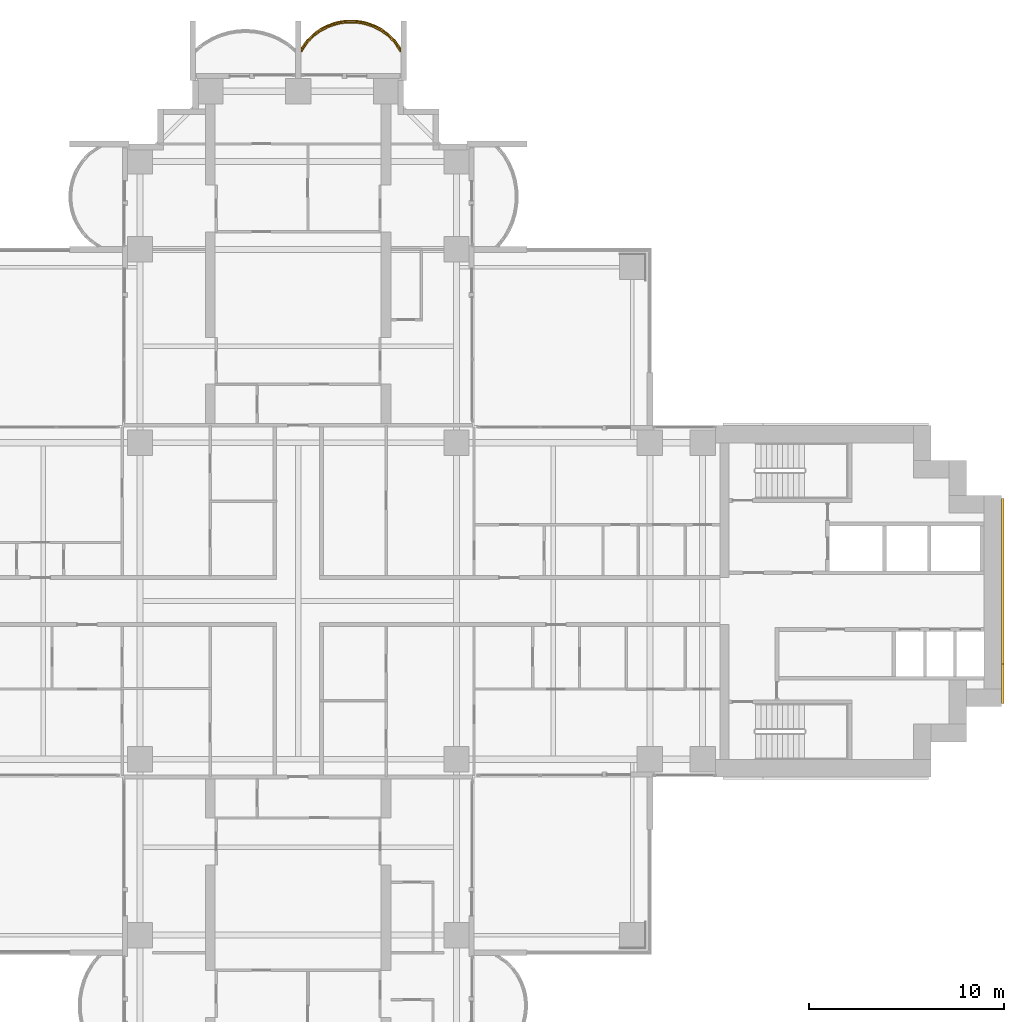
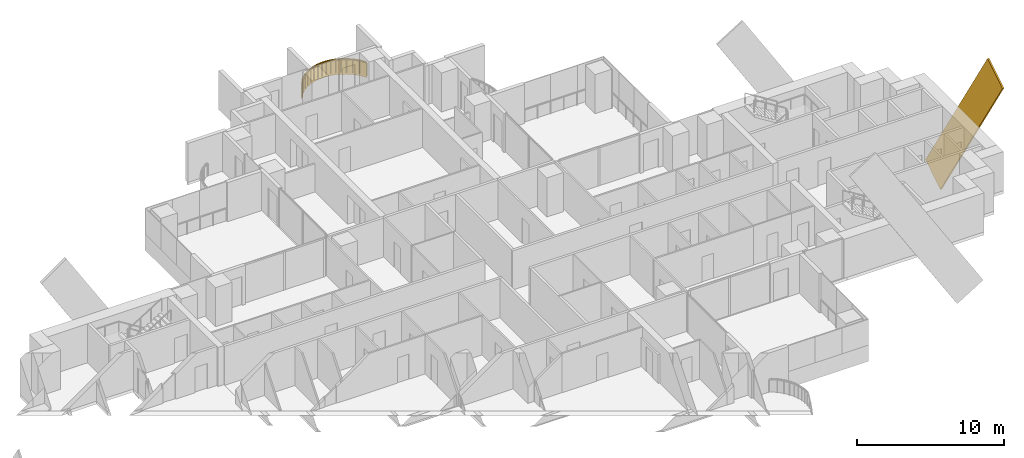
# One storey, part 22 of 22: 2 coverings, 1 railing.
"""IFC4 building model written with IfcOpenShell, lengths in metres."""

import ifcopenshell
import ifcopenshell.guid

model = None  # the IFC model being written
_history = None  # IfcOwnerHistory: only IFC2X3 demands one
_inside = {}  # id of a spatial element -> (the spatial element, [elements in it])
_under = {}  # id of a project, library or spatial element -> (it, [spatial elements below it])
_declared = {}  # id of a project -> (the project, [libraries it declares])
_typed = {}  # id of a type object -> (the type object, [elements of that type])
_made_of = {}  # id of a material, layer set ... -> (it, [elements and type objects made of it])


def new_model(schema):
    """Start an empty IFC model of exactly this schema.

    Asked for "IFC4X3", IfcOpenShell would pick the latest addendum, in which some entities
    have other attributes; the version numbers below select the first issue.
    IFC2X3 requires an IfcOwnerHistory on every rooted entity: one is made here for all.
    """
    global model, _history
    if schema == "IFC4X3":
        model = ifcopenshell.file(schema_version=(4, 3, 0, 0))
    else:
        model = ifcopenshell.file(schema=schema)
    _inside.clear()
    _under.clear()
    _declared.clear()
    _typed.clear()
    _made_of.clear()
    _history = None
    if model.schema == "IFC2X3":
        org = make("IfcOrganization", Name="unknown")
        user = make(
            "IfcPersonAndOrganization",
            ThePerson=make("IfcPerson", FamilyName="unknown"),
            TheOrganization=org,
        )
        app = make(
            "IfcApplication",
            ApplicationDeveloper=org,
            Version="unknown",
            ApplicationFullName="unknown",
            ApplicationIdentifier="unknown",
        )
        _history = make(
            "IfcOwnerHistory",
            OwningUser=user,
            OwningApplication=app,
            ChangeAction="ADDED",
            CreationDate=0,
        )
    return model


def make(cls, **values):
    """One entity of the class cls with the attributes given. An attribute that is None is left unset."""
    return model.create_entity(
        cls, **{name: value for name, value in values.items() if value is not None}
    )


def rooted(cls, **values):
    """An entity with a GlobalId (a new one), such as an element, a storey or a relation."""
    return make(cls, GlobalId=ifcopenshell.guid.new(), OwnerHistory=_history, **values)


def si_unit(unit_type, name, prefix=None):
    """IfcSIUnit, for example si_unit("LENGTHUNIT", "METRE", prefix="MILLI")."""
    return make("IfcSIUnit", UnitType=unit_type, Prefix=prefix, Name=name)


def assignment(units):
    """IfcUnitAssignment: the units of a project."""
    return None if units is None else make("IfcUnitAssignment", Units=units)


def point(xyz):
    """IfcCartesianPoint."""
    return None if xyz is None else make("IfcCartesianPoint", Coordinates=xyz)


def direction(xyz):
    """IfcDirection."""
    return None if xyz is None else make("IfcDirection", DirectionRatios=xyz)


def frame(location, z_axis=None, x_axis=None):
    """IfcAxis2Placement3D, a coordinate frame: its origin and axes. An axis left out is left unset."""
    return make(
        "IfcAxis2Placement3D",
        Location=point(location),
        Axis=direction(z_axis),
        RefDirection=direction(x_axis),
    )


def frame_2d(location, x_axis=None):
    """IfcAxis2Placement2D, a coordinate frame in the plane: its origin and x axis."""
    return make(
        "IfcAxis2Placement2D", Location=point(location), RefDirection=direction(x_axis)
    )


def origin():
    """The frame at (0, 0, 0) with its axes left unset."""
    return frame((0.0, 0.0, 0.0))


def origin_2d():
    """The frame at (0, 0) in the plane with its x axis left unset."""
    return frame_2d((0.0, 0.0))


def place(relative_to, where):
    """IfcLocalPlacement: puts the frame where relative to a parent placement (None: the world)."""
    return make(
        "IfcLocalPlacement", PlacementRelTo=relative_to, RelativePlacement=where
    )


def context(
    kind, dimensions, precision=None, world=None, true_north=None, identifier=None
):
    """IfcGeometricRepresentationContext, for example the 3D "Model" context."""
    return make(
        "IfcGeometricRepresentationContext",
        ContextIdentifier=identifier,
        ContextType=kind,
        CoordinateSpaceDimension=dimensions,
        Precision=precision,
        WorldCoordinateSystem=world,
        TrueNorth=true_north,
    )


def subcontext(parent, identifier, kind, view, scale=None):
    """IfcGeometricRepresentationSubContext, for example "Body" below "Model"."""
    return make(
        "IfcGeometricRepresentationSubContext",
        ContextIdentifier=identifier,
        ContextType=kind,
        ParentContext=parent,
        TargetScale=scale,
        TargetView=view,
    )


def project(units=None, contexts=None):
    """IfcProject with its units and contexts."""
    return rooted(
        "IfcProject",
        Name="project",
        RepresentationContexts=contexts,
        UnitsInContext=assignment(units),
    )


def spatial(cls, under=None, at=None, **own):
    """A site, building, storey or space (cls), placed at a placement, below another one or the project."""
    s = rooted(cls, ObjectPlacement=at, **own)
    if under is not None:
        _under.setdefault(under.id(), (under, []))[1].append(s)
    return s


def polyline(points):
    """IfcPolyline through the points."""
    return make("IfcPolyline", Points=[point(p) for p in points])


def profile(cls, at=None, kind="AREA", **sizes):
    """A parametric profile (cls). Its sizes go by their IFC names, for example OverallWidth=200.0."""
    return make(cls, ProfileType=kind, Position=at, **sizes)


def rectangle(**sizes):
    """IfcRectangleProfileDef."""
    return profile("IfcRectangleProfileDef", **sizes)


def outline(outer, holes=None, kind="AREA"):
    """IfcArbitraryClosedProfileDef: a profile drawn as a closed curve; with holes, ...WithVoids."""
    if holes is None:
        return make("IfcArbitraryClosedProfileDef", ProfileType=kind, OuterCurve=outer)
    return make(
        "IfcArbitraryProfileDefWithVoids",
        ProfileType=kind,
        OuterCurve=outer,
        InnerCurves=holes,
    )


def extrude(swept, where, along, depth):
    """IfcExtrudedAreaSolid: the profile swept, set in the frame where, extruded along a direction by depth."""
    return make(
        "IfcExtrudedAreaSolid",
        SweptArea=swept,
        Position=where,
        ExtrudedDirection=direction(along),
        Depth=depth,
    )


def shape(context_of_items, identifier, shape_type, items):
    """IfcShapeRepresentation: the items that make up one representation, for example the "Body"."""
    return make(
        "IfcShapeRepresentation",
        ContextOfItems=context_of_items,
        RepresentationIdentifier=identifier,
        RepresentationType=shape_type,
        Items=items,
    )


def material(Name=None, Category=None):
    """IfcMaterial."""
    return make("IfcMaterial", Name=Name, Category=Category)


def layer(
    of_material, thickness, ventilated=None, Name=None, Category=None, Priority=None
):
    """IfcMaterialLayer: one layer of a wall or slab, of a material (None: an air gap)."""
    return make(
        "IfcMaterialLayer",
        Material=of_material,
        LayerThickness=thickness,
        IsVentilated=ventilated,
        Name=Name,
        Category=Category,
        Priority=Priority,
    )


def layer_set(layers, Name=None):
    """IfcMaterialLayerSet."""
    return make("IfcMaterialLayerSet", MaterialLayers=layers, LayerSetName=Name)


def material_profile(
    of_material, cross_section, Name=None, Category=None, Priority=None
):
    """IfcMaterialProfile: a cross section and its material."""
    return make(
        "IfcMaterialProfile",
        Name=Name,
        Material=of_material,
        Profile=cross_section,
        Priority=Priority,
        Category=Category,
    )


def profile_set(profiles, Name=None, composite=None):
    """IfcMaterialProfileSet."""
    return make(
        "IfcMaterialProfileSet",
        Name=Name,
        MaterialProfiles=profiles,
        CompositeProfile=composite,
    )


def made_of(thing, what):
    """Note that an element or type object is made of a material, layer set ...; save() writes the relation."""
    if what is not None:
        _made_of.setdefault(what.id(), (what, []))[1].append(thing)
    return thing


def type_object(cls, material=None, **own):
    """A type object (cls), such as IfcWallType, which elements share."""
    return made_of(rooted(cls, **own), material)


def element(
    cls,
    number,
    at=None,
    inside=None,
    cuts=None,
    type_object=None,
    material=None,
    context=None,
    identifier="Body",
    shape_type=None,
    held_by="IfcProductDefinitionShape",
    body=None,
    shapes=None,
    **own,
):
    """One element of the class cls, such as IfcWall. Its Tag is "e" and its number.

    at: its placement. inside: the storey or other place that contains it. cuts: it is an
    opening in that element (IfcRelVoidsElement). A single representation is given by context,
    identifier, shape_type and body (its items); several are given by shapes. held_by: the class
    of the entity that holds the representations. save() writes the other relations.
    """
    e = rooted(cls, Tag="e%d" % number, ObjectPlacement=at, **own)
    if body is not None:
        shapes = [shape(context, identifier, shape_type, body)]
    if shapes is not None:
        e.Representation = make(held_by, Representations=shapes)
    if inside is not None:
        _inside.setdefault(inside.id(), (inside, []))[1].append(e)
    if cuts is not None:
        rooted(
            "IfcRelVoidsElement", RelatingBuildingElement=cuts, RelatedOpeningElement=e
        )
    if type_object is not None:
        _typed.setdefault(type_object.id(), (type_object, []))[1].append(e)
    return made_of(e, material)


def aggregate(whole, parts):
    """IfcRelAggregates: a whole, such as a stair, and the parts it consists of."""
    return rooted("IfcRelAggregates", RelatingObject=whole, RelatedObjects=parts)


def save(model, path):
    """Write the relations noted so far, then the file.

    IfcRelAggregates (storeys below a building ...), IfcRelContainedInSpatialStructure (elements
    in a storey), IfcRelDefinesByType, IfcRelAssociatesMaterial and IfcRelDeclares: one each for
    every whole, place, type object, material and project.
    """
    for whole, parts in _under.values():
        aggregate(whole, parts)
    for where, things in _inside.values():
        rooted(
            "IfcRelContainedInSpatialStructure",
            RelatedElements=things,
            RelatingStructure=where,
        )
    for kind, things in _typed.values():
        rooted("IfcRelDefinesByType", RelatedObjects=things, RelatingType=kind)
    for what, things in _made_of.values():
        rooted("IfcRelAssociatesMaterial", RelatedObjects=things, RelatingMaterial=what)
    for by, libraries in _declared.values():
        rooted("IfcRelDeclares", RelatingContext=by, RelatedDefinitions=libraries)
    model.write(path)


model = new_model("IFC4")

# Units and contexts
model_context = context("Model", 3, precision=1e-05, world=origin(), true_north=direction((0.0, 1.0)))
body_context = subcontext(model_context, "Body", "Model", "MODEL_VIEW")
ifc_project = project(units=[si_unit("LENGTHUNIT", "METRE"), si_unit("AREAUNIT", "SQUARE_METRE"), si_unit("VOLUMEUNIT", "CUBIC_METRE"), si_unit("PLANEANGLEUNIT", "RADIAN"), si_unit("MASSUNIT", "GRAM", prefix="KILO")], contexts=[model_context])

# Site, building, storey
site_placement = place(None, origin())
site = spatial("IfcSite", under=ifc_project, at=site_placement, CompositionType="ELEMENT")
building_placement = place(site_placement, origin())
building = spatial("IfcBuilding", under=site, at=building_placement, Name="Perihelion Cross Residences", CompositionType="ELEMENT")
storey_placement = place(building_placement, frame((0.0, 0.0, 50.5)))
storey = spatial("IfcBuildingStorey", under=building, at=storey_placement, Name="L09", CompositionType="ELEMENT", Elevation=50.5)

# Covering
ifc_material_1 = material(Name="Bronze anodised aluminium", Category="aluminium")
ifc_layer = layer(ifc_material_1, 0.070068359375)
ifc_layer_set = layer_set([ifc_layer], Name="Balcony fascia 1300")
covering_type_1 = type_object("IfcCoveringType", Name="Balcony fascia 1300", PredefinedType="CLADDING", material=ifc_layer_set)
covering_1_placement = place(storey_placement, frame((0.0, 0.0, -0.199951171875)))
element("IfcCovering", 1, at=covering_1_placement, inside=storey, type_object=covering_type_1, Name="Fascia BF1 L09 north tip north bay 1", PredefinedType="CLADDING", context=body_context, shape_type="SweptSolid", body=[
    extrude(outline(polyline([(4.963134765625, 28.722412109375), (4.61474609375, 29.060791015625), (4.2666015625, 29.308837890625), (3.91845703125, 29.4912109375), (3.5703125, 29.620361328125), (3.22216796875, 29.703369140625), (2.8740234375, 29.743896484375), (2.52587890625, 29.743896484375), (2.177734375, 29.703369140625), (1.82958984375, 29.620361328125), (1.4814453125, 29.4912109375), (1.13330078125, 29.308837890625), (0.78515625, 29.060791015625), (0.43701171875, 28.722412109375), (0.14990234375, 28.320556640625), (0.14990234375, 28.199951171875), (0.489990234375, 28.6767578125), (0.830078125, 29.007080078125), (1.169921875, 29.2490234375), (1.510009765625, 29.42724609375), (1.85009765625, 29.553466796875), (2.18994140625, 29.63427734375), (2.530029296875, 29.674072265625), (2.8701171875, 29.674072265625), (3.2099609375, 29.63427734375), (3.550048828125, 29.553466796875), (3.889892578125, 29.42724609375), (4.22998046875, 29.2490234375), (4.570068359375, 29.007080078125), (4.909912109375, 28.6767578125), (5.25, 28.199951171875), (5.25, 28.320556640625), (4.963134765625, 28.722412109375)])), origin(), (0.0, 0.0, 1.0), 1.300048828125),
])

# Railing
ifc_material_2 = material(Name="Bronze anodised aluminium", Category="aluminium")
railing_type = type_object("IfcRailingType", Name="Balcony guard 1100", PredefinedType="GUARDRAIL", material=ifc_material_2)
railing_placement = place(storey_placement, frame((5.22509765625, 28.139892578125, 0.0)))
element("IfcRailing", 2, at=railing_placement, inside=storey, type_object=railing_type, Name="Guard GU1 L09 north tip north bay 1 balcony", PredefinedType="GUARDRAIL", context=body_context, shape_type="SweptSolid", body=[
    extrude(rectangle(XDim=0.048095703125, YDim=0.048095703125, at=origin_2d()), frame((0.0, 0.0, 1.076171875), z_axis=(-0.55144309028, 0.834212513801, 0.0), x_axis=(-0.834212513801, -0.55144309028, 0.0)), (0.0, 0.0, 1.0), 0.571533203125),
    extrude(rectangle(XDim=0.048095703125, YDim=0.048095703125, at=origin_2d()), frame((-0.315185546875, 0.476806640625, 1.076171875), z_axis=(-0.717080736691, 0.696990112603, 0.0), x_axis=(-0.696990112603, -0.717080736691, 0.0)), (0.0, 0.0, 1.0), 0.473876953125),
    extrude(rectangle(XDim=0.048095703125, YDim=0.048095703125, at=origin_2d()), frame((-0.655029296875, 0.80712890625, 1.076171875), z_axis=(-0.814562360662, 0.580075995532, 0.0), x_axis=(-0.580075995532, -0.814562360662, 0.0)), (0.0, 0.0, 1.0), 0.41748046875),
    extrude(rectangle(XDim=0.048095703125, YDim=0.048095703125, at=origin_2d()), frame((-0.9951171875, 1.04931640625, 1.076171875), z_axis=(-0.886005761733, 0.463674228502, 0.0), x_axis=(-0.463674228502, -0.886005761733, 0.0)), (0.0, 0.0, 1.0), 0.3837890625),
    extrude(rectangle(XDim=0.048095703125, YDim=0.048095703125, at=origin_2d()), frame((-1.335205078125, 1.227294921875, 1.076171875), z_axis=(-0.937431552165, 0.348169621027, 0.0), x_axis=(-0.348169621027, -0.937431552165, 0.0)), (0.0, 0.0, 1.0), 0.362548828125),
    extrude(rectangle(XDim=0.048095703125, YDim=0.048095703125, at=origin_2d()), frame((-1.675048828125, 1.353515625, 1.076171875), z_axis=(-0.972753741142, 0.231840805498, 0.0), x_axis=(-0.231840805498, -0.972753741142, 0.0)), (0.0, 0.0, 1.0), 0.349609375),
    extrude(rectangle(XDim=0.048095703125, YDim=0.048095703125, at=origin_2d()), frame((-2.01513671875, 1.4345703125, 1.076171875), z_axis=(-0.993295952156, 0.11559909788, 0.0), x_axis=(-0.11559909788, -0.993295952156, 0.0)), (0.0, 0.0, 1.0), 0.342041015625),
    extrude(rectangle(XDim=0.048095703125, YDim=0.048095703125, at=origin_2d()), frame((-2.35498046875, 1.47412109375, 1.076171875), z_axis=(-1.0, 0.0, 0.0), x_axis=(0.0, -1.0, 0.0)), (0.0, 0.0, 1.0), 0.340087890625),
    extrude(rectangle(XDim=0.048095703125, YDim=0.048095703125, at=origin_2d()), frame((-2.695068359375, 1.47412109375, 1.076171875), z_axis=(-0.993305477634, -0.11551721994, 0.0), x_axis=(0.11551721994, -0.993305477634, 0.0)), (0.0, 0.0, 1.0), 0.34228515625),
    extrude(rectangle(XDim=0.048095703125, YDim=0.048095703125, at=origin_2d()), frame((-3.03515625, 1.4345703125, 1.076171875), z_axis=(-0.972716168284, -0.231998396458, 0.0), x_axis=(0.231998396458, -0.972716168284, 0.0)), (0.0, 0.0, 1.0), 0.349365234375),
    extrude(rectangle(XDim=0.048095703125, YDim=0.048095703125, at=origin_2d()), frame((-3.375, 1.353515625, 1.076171875), z_axis=(-0.93751311099, -0.347949948587, 0.0), x_axis=(0.347949948587, -0.93751311099, 0.0)), (0.0, 0.0, 1.0), 0.36279296875),
    extrude(rectangle(XDim=0.048095703125, YDim=0.048095703125, at=origin_2d()), frame((-3.715087890625, 1.227294921875, 1.076171875), z_axis=(-0.886005761733, -0.463674228502, 0.0), x_axis=(0.463674228502, -0.886005761733, 0.0)), (0.0, 0.0, 1.0), 0.3837890625),
    extrude(rectangle(XDim=0.048095703125, YDim=0.048095703125, at=origin_2d()), frame((-4.05517578125, 1.04931640625, 1.076171875), z_axis=(-0.814365457194, -0.580352394782, 0.0), x_axis=(0.580352394782, -0.814365457194, 0.0)), (0.0, 0.0, 1.0), 0.417236328125),
    extrude(rectangle(XDim=0.048095703125, YDim=0.048095703125, at=origin_2d()), frame((-4.39501953125, 0.80712890625, 1.076171875), z_axis=(-0.717330852669, -0.69673269466, 0.0), x_axis=(0.69673269466, -0.717330852669, 0.0)), (0.0, 0.0, 1.0), 0.47412109375),
    extrude(rectangle(XDim=0.048095703125, YDim=0.048095703125, at=origin_2d()), frame((-4.735107421875, 0.476806640625, 1.076171875), z_axis=(-0.551145731138, -0.834409002258, 0.0), x_axis=(0.834409002258, -0.551145731138, 0.0)), (0.0, 0.0, 1.0), 0.571533203125),
    extrude(rectangle(XDim=0.0419921875, YDim=0.0419921875, at=origin_2d()), origin(), (0.0, 0.0, 1.0), 1.052001953125),
    extrude(rectangle(XDim=0.0419921875, YDim=0.0419921875, at=origin_2d()), frame((-0.315185546875, 0.476806640625, 0.0)), (0.0, 0.0, 1.0), 1.052001953125),
    extrude(rectangle(XDim=0.0419921875, YDim=0.0419921875, at=origin_2d()), frame((-0.655029296875, 0.80712890625, 0.0)), (0.0, 0.0, 1.0), 1.052001953125),
    extrude(rectangle(XDim=0.0419921875, YDim=0.0419921875, at=origin_2d()), frame((-0.9951171875, 1.04931640625, 0.0)), (0.0, 0.0, 1.0), 1.052001953125),
    extrude(rectangle(XDim=0.0419921875, YDim=0.0419921875, at=origin_2d()), frame((-1.335205078125, 1.227294921875, 0.0)), (0.0, 0.0, 1.0), 1.052001953125),
    extrude(rectangle(XDim=0.0419921875, YDim=0.0419921875, at=origin_2d()), frame((-1.675048828125, 1.353515625, 0.0)), (0.0, 0.0, 1.0), 1.052001953125),
    extrude(rectangle(XDim=0.0419921875, YDim=0.0419921875, at=origin_2d()), frame((-2.01513671875, 1.4345703125, 0.0)), (0.0, 0.0, 1.0), 1.052001953125),
    extrude(rectangle(XDim=0.0419921875, YDim=0.0419921875, at=origin_2d()), frame((-2.35498046875, 1.47412109375, 0.0)), (0.0, 0.0, 1.0), 1.052001953125),
    extrude(rectangle(XDim=0.0419921875, YDim=0.0419921875, at=origin_2d()), frame((-2.695068359375, 1.47412109375, 0.0)), (0.0, 0.0, 1.0), 1.052001953125),
    extrude(rectangle(XDim=0.0419921875, YDim=0.0419921875, at=origin_2d()), frame((-3.03515625, 1.4345703125, 0.0)), (0.0, 0.0, 1.0), 1.052001953125),
    extrude(rectangle(XDim=0.0419921875, YDim=0.0419921875, at=origin_2d()), frame((-3.375, 1.353515625, 0.0)), (0.0, 0.0, 1.0), 1.052001953125),
    extrude(rectangle(XDim=0.0419921875, YDim=0.0419921875, at=origin_2d()), frame((-3.715087890625, 1.227294921875, 0.0)), (0.0, 0.0, 1.0), 1.052001953125),
    extrude(rectangle(XDim=0.0419921875, YDim=0.0419921875, at=origin_2d()), frame((-4.05517578125, 1.04931640625, 0.0)), (0.0, 0.0, 1.0), 1.052001953125),
    extrude(rectangle(XDim=0.0419921875, YDim=0.0419921875, at=origin_2d()), frame((-4.39501953125, 0.80712890625, 0.0)), (0.0, 0.0, 1.0), 1.052001953125),
    extrude(rectangle(XDim=0.0419921875, YDim=0.0419921875, at=origin_2d()), frame((-4.735107421875, 0.476806640625, 0.0)), (0.0, 0.0, 1.0), 1.052001953125),
    extrude(rectangle(XDim=0.0419921875, YDim=0.0419921875, at=origin_2d()), frame((-5.050048828125, 0.0, 0.0)), (0.0, 0.0, 1.0), 1.052001953125),
])

# Covering
ifc_material_3 = material(Name="Bronze anodised aluminium", Category="aluminium")
ifc_material_profile = material_profile(ifc_material_3, rectangle(XDim=0.125, YDim=2.39990234375, at=origin_2d()), Name="Bronze cladding band 2400")
ifc_profile_set = profile_set([ifc_material_profile], Name="Bronze anodised aluminium")
covering_type_2 = type_object("IfcCoveringType", Name="Bronze cladding band 2400", PredefinedType="CLADDING", material=ifc_profile_set)
covering_2_placement = place(storey_placement, frame((36.0625, 4.232421875, -4.509765625), z_axis=(0.0, -0.529924750763, 0.848044667767), x_axis=(1.0, 0.0, 0.0)))
element("IfcCovering", 3, at=covering_2_placement, inside=storey, type_object=covering_type_2, Name="Core cladding band, east core", PredefinedType="CLADDING", context=body_context, shape_type="SweptSolid", body=[
    extrude(rectangle(XDim=0.125, YDim=2.39990234375, at=origin_2d()), origin(), (0.0, 0.0, 1.0), 15.9736328125),
])

save(model, "model.ifc")
